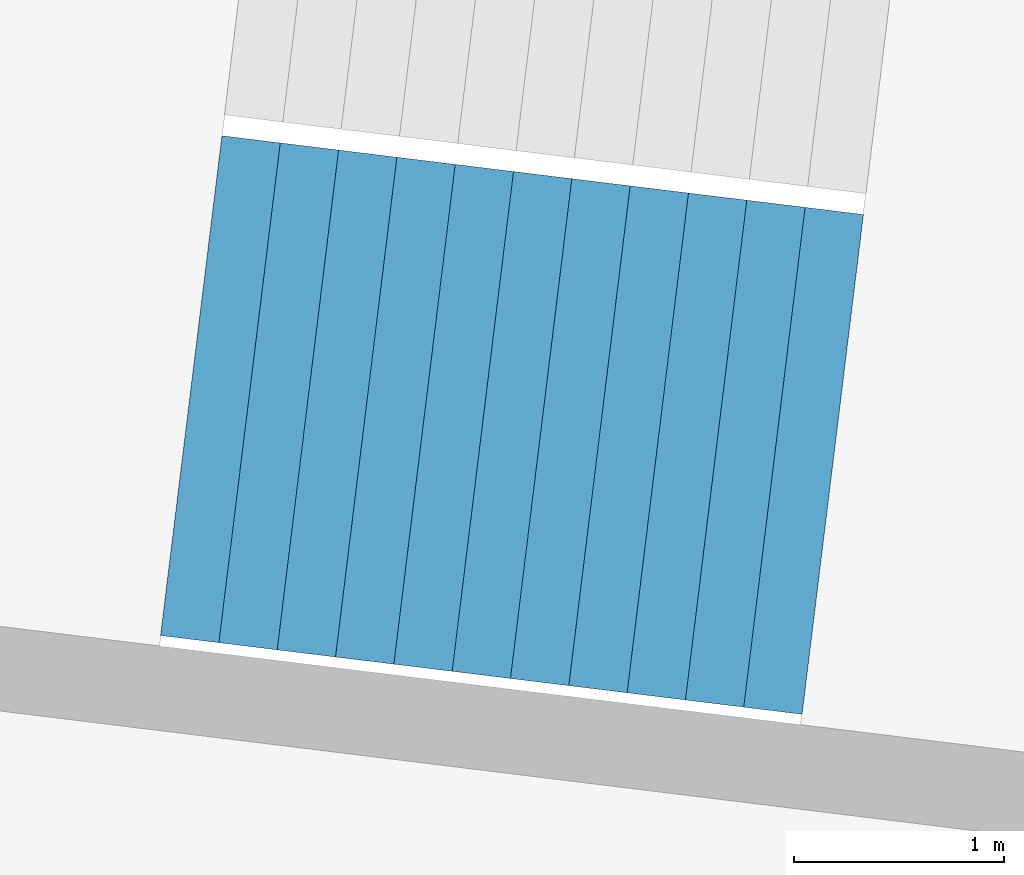
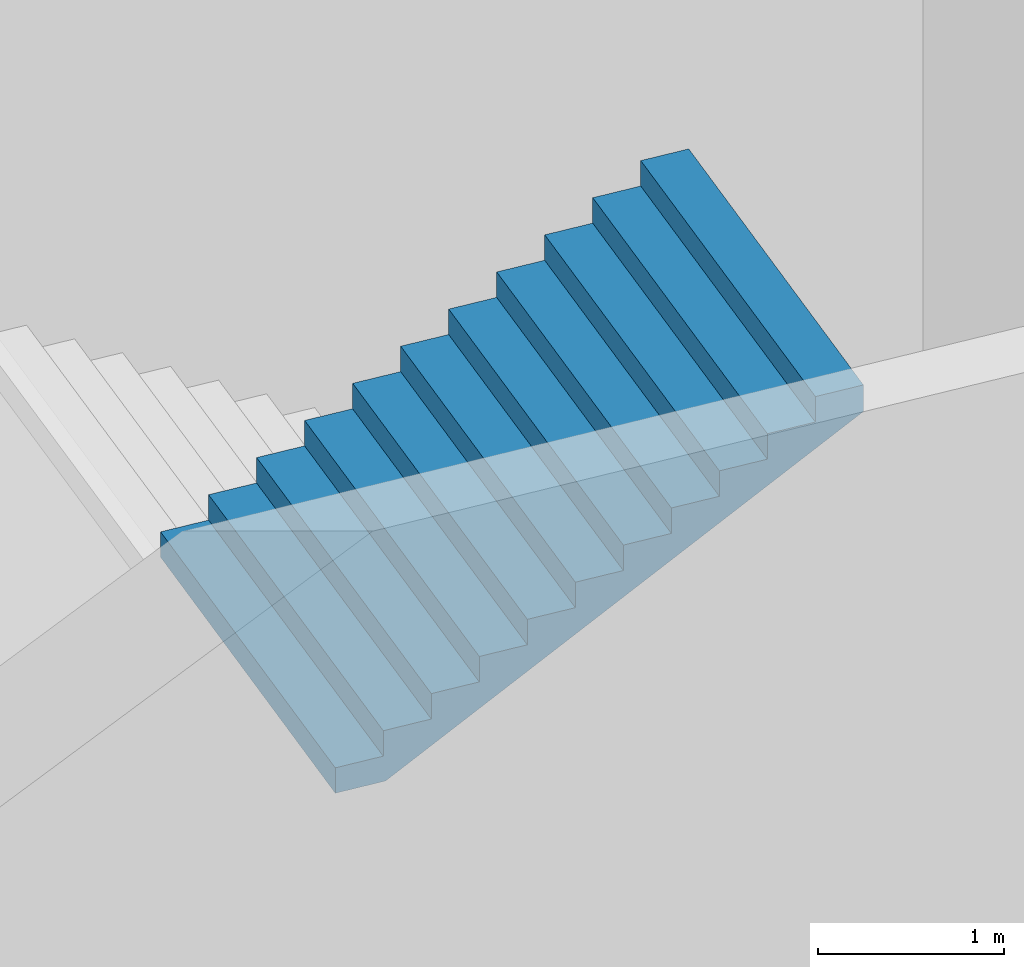
# One storey, part 27 of 74: 1 stair flight, 1 element without a shape of its own.
"""IFC4 building model written with IfcOpenShell, lengths in metres."""

from ifc_helpers import new_model, si_unit, direction, frame, origin, place, context, subcontext, project, spatial, triangles, material, type_object, element, aggregate, save


model = new_model("IFC4")

# Units and contexts
model_context = context("Model", 3, precision=1e-05, world=origin(), true_north=direction((0.0, 1.0)))
body_context = subcontext(model_context, "Body", "Model", "MODEL_VIEW")
ifc_project = project(units=[si_unit("LENGTHUNIT", "METRE"), si_unit("AREAUNIT", "SQUARE_METRE"), si_unit("VOLUMEUNIT", "CUBIC_METRE"), si_unit("PLANEANGLEUNIT", "RADIAN"), si_unit("MASSUNIT", "GRAM", prefix="KILO")], contexts=[model_context])

# Site, building, storey
site_placement = place(None, origin())
site = spatial("IfcSite", under=ifc_project, at=site_placement, CompositionType="ELEMENT")
building_placement = place(site_placement, origin())
building = spatial("IfcBuilding", under=site, at=building_placement, Name="Lantaw Convention Tower", CompositionType="ELEMENT")
storey_placement = place(building_placement, frame((0.0, 0.0, 6.5)))
storey = spatial("IfcBuildingStorey", under=building, at=storey_placement, Name="L01", CompositionType="ELEMENT", Elevation=6.5)

# Stair, stair flight
ifc_material = material(Name="Concrete C35/45", Category="concrete")
stair_type = type_object("IfcStairType", Name="Exit stair 2400 riser 166.67 in 4 flights", PredefinedType="HALF_TURN_STAIR", material=ifc_material)
stair_placement = place(storey_placement, origin())
stair = element("IfcStair", 1, at=stair_placement, inside=storey, type_object=stair_type, Name="Podium exit stair P9 L01", PredefinedType="HALF_TURN_STAIR")
stair_flight_type = type_object("IfcStairFlightType", Name="Stair flight 2400 riser 166.67", PredefinedType="STRAIGHT", material=ifc_material)
stair_flight_placement = place(storey_placement, frame((-41.333251953125, 3.815673828125, 6.0), z_axis=(0.0, 0.0, 1.0), x_axis=(0.992546151641, -0.121869343405, 0.0)))
stair_flight = element("IfcStairFlight", 2, at=stair_flight_placement, type_object=stair_flight_type, Name="P9 flight 4", NumberOfRisers=12, NumberOfTreads=11, PredefinedType="STRAIGHT", RiserHeight=0.166666667, TreadLength=0.28, context=body_context, shape_type="Tessellation", body=[
    triangles([(0.0, 1.199951171875, 0.0), (0.0, 1.199951171875, 0.166666667), (0.28, 1.199951171875, 0.0), (0.28, 1.199951171875, 0.166666667), (0.28, 1.199951171875, 0.333333334), (0.29307345806906726, 1.199951171875, 0.0), (0.29307345806906726, 1.199951171875, 0.333333334), (0.56, 1.199951171875, 0.15888484670522965), (0.56, 1.199951171875, 0.333333334), (0.56, 1.199951171875, 0.500000001), (0.8400000000000001, 1.199951171875, 0.3255515137052296), (0.8400000000000001, 1.199951171875, 0.500000001), (0.8400000000000001, 1.199951171875, 0.666666668), (1.12, 1.199951171875, 0.4922181807052296), (1.12, 1.199951171875, 0.666666668), (1.12, 1.199951171875, 0.833333335), (1.4000000000000001, 1.199951171875, 0.6588848477052296), (1.4000000000000001, 1.199951171875, 0.833333335), (1.4000000000000001, 1.199951171875, 1.000000002), (1.6800000000000002, 1.199951171875, 0.8255515147052296), (1.6800000000000002, 1.199951171875, 1.000000002), (1.6800000000000002, 1.199951171875, 1.166666669), (1.9600000000000002, 1.199951171875, 0.9922181817052296), (1.9600000000000002, 1.199951171875, 1.166666669), (1.9600000000000002, 1.199951171875, 1.333333336), (2.24, 1.199951171875, 1.1588848487052295), (2.24, 1.199951171875, 1.333333336), (2.24, 1.199951171875, 1.5000000029999998), (2.5200000000000005, 1.199951171875, 1.3255515157052296), (2.5200000000000005, 1.199951171875, 1.5000000029999998), (2.5200000000000005, 1.199951171875, 1.66666667), (2.8000000000000003, 1.199951171875, 1.4922181827052294), (2.8000000000000003, 1.199951171875, 1.66666667), (2.8000000000000003, 1.199951171875, 1.833333337), (3.08, 1.199951171875, 1.6588848497052293), (3.08, 1.199951171875, 1.833333337), (0.0, -1.199951171875, 0.0), (0.0, -1.199951171875, 0.166666667), (0.28, -1.199951171875, 0.0), (0.28, -1.199951171875, 0.166666667), (0.28, -1.199951171875, 0.333333334), (0.29307345806906726, -1.199951171875, 0.0), (0.29307345806906726, -1.199951171875, 0.333333334), (0.56, -1.199951171875, 0.15888484670522965), (0.56, -1.199951171875, 0.333333334), (0.56, -1.199951171875, 0.500000001), (0.8400000000000001, -1.199951171875, 0.3255515137052296), (0.8400000000000001, -1.199951171875, 0.500000001), (0.8400000000000001, -1.199951171875, 0.666666668), (1.12, -1.199951171875, 0.4922181807052296), (1.12, -1.199951171875, 0.666666668), (1.12, -1.199951171875, 0.833333335), (1.4000000000000001, -1.199951171875, 0.6588848477052296), (1.4000000000000001, -1.199951171875, 0.833333335), (1.4000000000000001, -1.199951171875, 1.000000002), (1.6800000000000002, -1.199951171875, 0.8255515147052296), (1.6800000000000002, -1.199951171875, 1.000000002), (1.6800000000000002, -1.199951171875, 1.166666669), (1.9600000000000002, -1.199951171875, 0.9922181817052296), (1.9600000000000002, -1.199951171875, 1.166666669), (1.9600000000000002, -1.199951171875, 1.333333336), (2.24, -1.199951171875, 1.1588848487052295), (2.24, -1.199951171875, 1.333333336), (2.24, -1.199951171875, 1.5000000029999998), (2.5200000000000005, -1.199951171875, 1.3255515157052296), (2.5200000000000005, -1.199951171875, 1.5000000029999998), (2.5200000000000005, -1.199951171875, 1.66666667), (2.8000000000000003, -1.199951171875, 1.4922181827052294), (2.8000000000000003, -1.199951171875, 1.66666667), (2.8000000000000003, -1.199951171875, 1.833333337), (3.08, -1.199951171875, 1.6588848497052293), (3.08, -1.199951171875, 1.833333337), (0.0, 0.239990234375, 0.166666667), (0.0, 0.239990234375, 0.0), (0.0, 0.1199951171875, 0.166666667), (0.0, 0.1199951171875, 0.0), (0.0, 0.0, 0.166666667), (0.0, 0.0, 0.0), (0.0, -0.1199951171875, 0.166666667), (0.0, -0.1199951171875, 0.0), (0.0, -0.239990234375, 0.166666667), (0.0, -0.239990234375, 0.0), (0.28, 0.239990234375, 0.333333334), (0.28, 0.239990234375, 0.166666667), (0.28, 0.1199951171875, 0.333333334), (0.28, 0.1199951171875, 0.166666667), (0.28, 0.0, 0.333333334), (0.28, 0.0, 0.166666667), (0.28, -0.1199951171875, 0.333333334), (0.28, -0.1199951171875, 0.166666667), (0.28, -0.239990234375, 0.333333334), (0.28, -0.239990234375, 0.166666667), (0.56, 0.239990234375, 0.500000001), (0.56, 0.239990234375, 0.333333334), (0.56, 0.1199951171875, 0.500000001), (0.56, 0.1199951171875, 0.333333334), (0.56, 0.0, 0.500000001), (0.56, 0.0, 0.333333334), (0.56, -0.1199951171875, 0.500000001), (0.56, -0.1199951171875, 0.333333334), (0.56, -0.239990234375, 0.500000001), (0.56, -0.239990234375, 0.333333334), (0.8400000000000001, 0.239990234375, 0.666666668), (0.8400000000000001, 0.239990234375, 0.500000001), (0.8400000000000001, 0.1199951171875, 0.666666668), (0.8400000000000001, 0.1199951171875, 0.500000001), (0.8400000000000001, 0.0, 0.666666668), (0.8400000000000001, 0.0, 0.500000001), (0.8400000000000001, -0.1199951171875, 0.666666668), (0.8400000000000001, -0.1199951171875, 0.500000001), (0.8400000000000001, -0.239990234375, 0.666666668), (0.8400000000000001, -0.239990234375, 0.500000001), (1.12, 0.239990234375, 0.833333335), (1.12, 0.239990234375, 0.666666668), (1.12, 0.1199951171875, 0.833333335), (1.12, 0.1199951171875, 0.666666668), (1.12, 0.0, 0.833333335), (1.12, 0.0, 0.666666668), (1.12, -0.1199951171875, 0.833333335), (1.12, -0.1199951171875, 0.666666668), (1.12, -0.239990234375, 0.833333335), (1.12, -0.239990234375, 0.666666668), (1.4000000000000001, 0.239990234375, 1.000000002), (1.4000000000000001, 0.239990234375, 0.833333335), (1.4000000000000001, 0.1199951171875, 1.000000002), (1.4000000000000001, 0.1199951171875, 0.833333335), (1.4000000000000001, 0.0, 1.000000002), (1.4000000000000001, 0.0, 0.833333335), (1.4000000000000001, -0.1199951171875, 1.000000002), (1.4000000000000001, -0.1199951171875, 0.833333335), (1.4000000000000001, -0.239990234375, 1.000000002), (1.4000000000000001, -0.239990234375, 0.833333335), (1.6800000000000002, 0.239990234375, 1.166666669), (1.6800000000000002, 0.239990234375, 1.000000002), (1.6800000000000002, 0.1199951171875, 1.166666669), (1.6800000000000002, 0.1199951171875, 1.000000002), (1.6800000000000002, 0.0, 1.166666669), (1.6800000000000002, 0.0, 1.000000002), (1.6800000000000002, -0.1199951171875, 1.166666669), (1.6800000000000002, -0.1199951171875, 1.000000002), (1.6800000000000002, -0.239990234375, 1.166666669), (1.6800000000000002, -0.239990234375, 1.000000002), (1.9600000000000002, 0.239990234375, 1.333333336), (1.9600000000000002, 0.239990234375, 1.166666669), (1.9600000000000002, 0.1199951171875, 1.333333336), (1.9600000000000002, 0.1199951171875, 1.166666669), (1.9600000000000002, 0.0, 1.333333336), (1.9600000000000002, 0.0, 1.166666669), (1.9600000000000002, -0.1199951171875, 1.333333336), (1.9600000000000002, -0.1199951171875, 1.166666669), (1.9600000000000002, -0.239990234375, 1.333333336), (1.9600000000000002, -0.239990234375, 1.166666669), (2.24, 0.239990234375, 1.5000000029999998), (2.24, 0.239990234375, 1.333333336), (2.24, 0.1199951171875, 1.5000000029999998), (2.24, 0.1199951171875, 1.333333336), (2.24, 0.0, 1.5000000029999998), (2.24, 0.0, 1.333333336), (2.24, -0.1199951171875, 1.5000000029999998), (2.24, -0.1199951171875, 1.333333336), (2.24, -0.239990234375, 1.5000000029999998), (2.24, -0.239990234375, 1.333333336), (2.5200000000000005, 0.239990234375, 1.66666667), (2.5200000000000005, 0.239990234375, 1.5000000029999998), (2.5200000000000005, 0.1199951171875, 1.66666667), (2.5200000000000005, 0.1199951171875, 1.5000000029999998), (2.5200000000000005, 0.0, 1.66666667), (2.5200000000000005, 0.0, 1.5000000029999998), (2.5200000000000005, -0.1199951171875, 1.66666667), (2.5200000000000005, -0.1199951171875, 1.5000000029999998), (2.5200000000000005, -0.239990234375, 1.66666667), (2.5200000000000005, -0.239990234375, 1.5000000029999998), (2.8000000000000003, 0.239990234375, 1.833333337), (2.8000000000000003, 0.239990234375, 1.66666667), (2.8000000000000003, 0.1199951171875, 1.833333337), (2.8000000000000003, 0.1199951171875, 1.66666667), (2.8000000000000003, 0.0, 1.833333337), (2.8000000000000003, 0.0, 1.66666667), (2.8000000000000003, -0.1199951171875, 1.833333337), (2.8000000000000003, -0.1199951171875, 1.66666667), (2.8000000000000003, -0.239990234375, 1.833333337), (2.8000000000000003, -0.239990234375, 1.66666667), (0.29307345806906726, 0.239990234375, 0.333333334), (0.29307345806906726, 0.1199951171875, 0.333333334), (0.29307345806906726, 0.0, 0.333333334), (0.29307345806906726, -0.1199951171875, 0.333333334), (0.29307345806906726, -0.239990234375, 0.333333334), (3.08, 0.239990234375, 1.833333337), (3.08, 0.1199951171875, 1.833333337), (3.08, 0.0, 1.833333337), (3.08, -0.1199951171875, 1.833333337), (3.08, -0.239990234375, 1.833333337), (3.08, 0.239990234375, 1.6588848497052293), (3.08, 0.1199951171875, 1.6588848497052293), (3.08, 0.0, 1.6588848497052293), (3.08, -0.1199951171875, 1.6588848497052293), (3.08, -0.239990234375, 1.6588848497052293), (2.8000000000000003, 0.239990234375, 1.4922181827052294), (2.8000000000000003, 0.1199951171875, 1.4922181827052294), (2.8000000000000003, 0.0, 1.4922181827052294), (2.8000000000000003, -0.1199951171875, 1.4922181827052294), (2.8000000000000003, -0.239990234375, 1.4922181827052294), (2.5200000000000005, 0.239990234375, 1.3255515157052296), (2.5200000000000005, 0.1199951171875, 1.3255515157052296), (2.5200000000000005, 0.0, 1.3255515157052296), (2.5200000000000005, -0.1199951171875, 1.3255515157052296), (2.5200000000000005, -0.239990234375, 1.3255515157052296), (2.24, 0.239990234375, 1.1588848487052295), (2.24, 0.1199951171875, 1.1588848487052295), (2.24, 0.0, 1.1588848487052295), (2.24, -0.1199951171875, 1.1588848487052295), (2.24, -0.239990234375, 1.1588848487052295), (1.9600000000000002, 0.239990234375, 0.9922181817052296), (1.9600000000000002, 0.1199951171875, 0.9922181817052296), (1.9600000000000002, 0.0, 0.9922181817052296), (1.9600000000000002, -0.1199951171875, 0.9922181817052296), (1.9600000000000002, -0.239990234375, 0.9922181817052296), (1.6800000000000002, 0.239990234375, 0.8255515147052296), (1.6800000000000002, 0.1199951171875, 0.8255515147052296), (1.6800000000000002, 0.0, 0.8255515147052296), (1.6800000000000002, -0.1199951171875, 0.8255515147052296), (1.6800000000000002, -0.239990234375, 0.8255515147052296), (1.4000000000000001, 0.239990234375, 0.6588848477052296), (1.4000000000000001, 0.1199951171875, 0.6588848477052296), (1.4000000000000001, 0.0, 0.6588848477052296), (1.4000000000000001, -0.1199951171875, 0.6588848477052296), (1.4000000000000001, -0.239990234375, 0.6588848477052296), (1.12, 0.239990234375, 0.4922181807052296), (1.12, 0.1199951171875, 0.4922181807052296), (1.12, 0.0, 0.4922181807052296), (1.12, -0.1199951171875, 0.4922181807052296), (1.12, -0.239990234375, 0.4922181807052296), (0.8400000000000001, 0.239990234375, 0.3255515137052296), (0.8400000000000001, 0.1199951171875, 0.3255515137052296), (0.8400000000000001, 0.0, 0.3255515137052296), (0.8400000000000001, -0.1199951171875, 0.3255515137052296), (0.8400000000000001, -0.239990234375, 0.3255515137052296), (0.56, 0.239990234375, 0.15888484670522965), (0.56, 0.1199951171875, 0.15888484670522965), (0.56, 0.0, 0.15888484670522965), (0.56, -0.1199951171875, 0.15888484670522965), (0.56, -0.239990234375, 0.15888484670522965), (0.29307345806906726, 0.239990234375, 0.0), (0.29307345806906726, 0.1199951171875, 0.0), (0.29307345806906726, 0.0, 0.0), (0.29307345806906726, -0.1199951171875, 0.0), (0.29307345806906726, -0.239990234375, 0.0), (0.28, 0.239990234375, 0.0), (0.28, 0.1199951171875, 0.0), (0.28, 0.0, 0.0), (0.28, -0.1199951171875, 0.0), (0.28, -0.239990234375, 0.0)], [[1, 4, 3], [1, 2, 4], [3, 4, 6], [4, 7, 6], [4, 5, 7], [6, 9, 8], [6, 7, 9], [8, 9, 11], [9, 12, 11], [9, 10, 12], [11, 12, 14], [12, 15, 14], [12, 13, 15], [14, 15, 17], [15, 18, 17], [15, 16, 18], [17, 18, 20], [18, 21, 20], [18, 19, 21], [20, 21, 23], [21, 24, 23], [21, 22, 24], [23, 24, 26], [24, 27, 26], [24, 25, 27], [26, 27, 29], [27, 30, 29], [27, 28, 30], [29, 30, 32], [30, 33, 32], [30, 31, 33], [32, 33, 35], [33, 36, 35], [33, 34, 36], [37, 39, 40], [37, 40, 38], [39, 42, 40], [40, 42, 43], [40, 43, 41], [42, 44, 45], [42, 45, 43], [44, 47, 45], [45, 47, 48], [45, 48, 46], [47, 50, 48], [48, 50, 51], [48, 51, 49], [50, 53, 51], [51, 53, 54], [51, 54, 52], [53, 56, 54], [54, 56, 57], [54, 57, 55], [56, 59, 57], [57, 59, 60], [57, 60, 58], [59, 62, 60], [60, 62, 63], [60, 63, 61], [62, 65, 63], [63, 65, 66], [63, 66, 64], [65, 68, 66], [66, 68, 69], [66, 69, 67], [68, 71, 69], [69, 71, 72], [69, 72, 70], [1, 73, 2], [1, 74, 73], [74, 75, 73], [74, 76, 75], [76, 77, 75], [76, 78, 77], [78, 79, 77], [78, 80, 79], [80, 81, 79], [80, 82, 81], [82, 38, 81], [82, 37, 38], [4, 83, 5], [4, 84, 83], [84, 85, 83], [84, 86, 85], [86, 87, 85], [86, 88, 87], [88, 89, 87], [88, 90, 89], [90, 91, 89], [90, 92, 91], [92, 41, 91], [92, 40, 41], [9, 93, 10], [9, 94, 93], [94, 95, 93], [94, 96, 95], [96, 97, 95], [96, 98, 97], [98, 99, 97], [98, 100, 99], [100, 101, 99], [100, 102, 101], [102, 46, 101], [102, 45, 46], [12, 103, 13], [12, 104, 103], [104, 105, 103], [104, 106, 105], [106, 107, 105], [106, 108, 107], [108, 109, 107], [108, 110, 109], [110, 111, 109], [110, 112, 111], [112, 49, 111], [112, 48, 49], [15, 113, 16], [15, 114, 113], [114, 115, 113], [114, 116, 115], [116, 117, 115], [116, 118, 117], [118, 119, 117], [118, 120, 119], [120, 121, 119], [120, 122, 121], [122, 52, 121], [122, 51, 52], [18, 123, 19], [18, 124, 123], [124, 125, 123], [124, 126, 125], [126, 127, 125], [126, 128, 127], [128, 129, 127], [128, 130, 129], [130, 131, 129], [130, 132, 131], [132, 55, 131], [132, 54, 55], [21, 133, 22], [21, 134, 133], [134, 135, 133], [134, 136, 135], [136, 137, 135], [136, 138, 137], [138, 139, 137], [138, 140, 139], [140, 141, 139], [140, 142, 141], [142, 58, 141], [142, 57, 58], [24, 143, 25], [24, 144, 143], [144, 145, 143], [144, 146, 145], [146, 147, 145], [146, 148, 147], [148, 149, 147], [148, 150, 149], [150, 151, 149], [150, 152, 151], [152, 61, 151], [152, 60, 61], [27, 153, 28], [27, 154, 153], [154, 155, 153], [154, 156, 155], [156, 157, 155], [156, 158, 157], [158, 159, 157], [158, 160, 159], [160, 161, 159], [160, 162, 161], [162, 64, 161], [162, 63, 64], [30, 163, 31], [30, 164, 163], [164, 165, 163], [164, 166, 165], [166, 167, 165], [166, 168, 167], [168, 169, 167], [168, 170, 169], [170, 171, 169], [170, 172, 171], [172, 67, 171], [172, 66, 67], [33, 173, 34], [33, 174, 173], [174, 175, 173], [174, 176, 175], [176, 177, 175], [176, 178, 177], [178, 179, 177], [178, 180, 179], [180, 181, 179], [180, 182, 181], [182, 70, 181], [182, 69, 70], [2, 84, 4], [2, 73, 84], [73, 86, 84], [73, 75, 86], [75, 88, 86], [75, 77, 88], [77, 90, 88], [77, 79, 90], [79, 92, 90], [79, 81, 92], [81, 40, 92], [81, 38, 40], [5, 183, 7], [5, 83, 183], [83, 184, 183], [83, 85, 184], [85, 185, 184], [85, 87, 185], [87, 186, 185], [87, 89, 186], [89, 187, 186], [89, 91, 187], [91, 43, 187], [91, 41, 43], [7, 94, 9], [7, 183, 94], [183, 96, 94], [183, 184, 96], [184, 98, 96], [184, 185, 98], [185, 100, 98], [185, 186, 100], [186, 102, 100], [186, 187, 102], [187, 45, 102], [187, 43, 45], [10, 104, 12], [10, 93, 104], [93, 106, 104], [93, 95, 106], [95, 108, 106], [95, 97, 108], [97, 110, 108], [97, 99, 110], [99, 112, 110], [99, 101, 112], [101, 48, 112], [101, 46, 48], [13, 114, 15], [13, 103, 114], [103, 116, 114], [103, 105, 116], [105, 118, 116], [105, 107, 118], [107, 120, 118], [107, 109, 120], [109, 122, 120], [109, 111, 122], [111, 51, 122], [111, 49, 51], [16, 124, 18], [16, 113, 124], [113, 126, 124], [113, 115, 126], [115, 128, 126], [115, 117, 128], [117, 130, 128], [117, 119, 130], [119, 132, 130], [119, 121, 132], [121, 54, 132], [121, 52, 54], [19, 134, 21], [19, 123, 134], [123, 136, 134], [123, 125, 136], [125, 138, 136], [125, 127, 138], [127, 140, 138], [127, 129, 140], [129, 142, 140], [129, 131, 142], [131, 57, 142], [131, 55, 57], [22, 144, 24], [22, 133, 144], [133, 146, 144], [133, 135, 146], [135, 148, 146], [135, 137, 148], [137, 150, 148], [137, 139, 150], [139, 152, 150], [139, 141, 152], [141, 60, 152], [141, 58, 60], [25, 154, 27], [25, 143, 154], [143, 156, 154], [143, 145, 156], [145, 158, 156], [145, 147, 158], [147, 160, 158], [147, 149, 160], [149, 162, 160], [149, 151, 162], [151, 63, 162], [151, 61, 63], [28, 164, 30], [28, 153, 164], [153, 166, 164], [153, 155, 166], [155, 168, 166], [155, 157, 168], [157, 170, 168], [157, 159, 170], [159, 172, 170], [159, 161, 172], [161, 66, 172], [161, 64, 66], [31, 174, 33], [31, 163, 174], [163, 176, 174], [163, 165, 176], [165, 178, 176], [165, 167, 178], [167, 180, 178], [167, 169, 180], [169, 182, 180], [169, 171, 182], [171, 69, 182], [171, 67, 69], [34, 188, 36], [34, 173, 188], [173, 189, 188], [173, 175, 189], [175, 190, 189], [175, 177, 190], [177, 191, 190], [177, 179, 191], [179, 192, 191], [179, 181, 192], [181, 72, 192], [181, 70, 72], [36, 193, 35], [36, 188, 193], [188, 194, 193], [188, 189, 194], [189, 195, 194], [189, 190, 195], [190, 196, 195], [190, 191, 196], [191, 197, 196], [191, 192, 197], [192, 71, 197], [192, 72, 71], [35, 198, 32], [35, 193, 198], [193, 199, 198], [193, 194, 199], [194, 200, 199], [194, 195, 200], [195, 201, 200], [195, 196, 201], [196, 202, 201], [196, 197, 202], [197, 68, 202], [197, 71, 68], [32, 203, 29], [32, 198, 203], [198, 204, 203], [198, 199, 204], [199, 205, 204], [199, 200, 205], [200, 206, 205], [200, 201, 206], [201, 207, 206], [201, 202, 207], [202, 65, 207], [202, 68, 65], [29, 208, 26], [29, 203, 208], [203, 209, 208], [203, 204, 209], [204, 210, 209], [204, 205, 210], [205, 211, 210], [205, 206, 211], [206, 212, 211], [206, 207, 212], [207, 62, 212], [207, 65, 62], [26, 213, 23], [26, 208, 213], [208, 214, 213], [208, 209, 214], [209, 215, 214], [209, 210, 215], [210, 216, 215], [210, 211, 216], [211, 217, 216], [211, 212, 217], [212, 59, 217], [212, 62, 59], [23, 218, 20], [23, 213, 218], [213, 219, 218], [213, 214, 219], [214, 220, 219], [214, 215, 220], [215, 221, 220], [215, 216, 221], [216, 222, 221], [216, 217, 222], [217, 56, 222], [217, 59, 56], [20, 223, 17], [20, 218, 223], [218, 224, 223], [218, 219, 224], [219, 225, 224], [219, 220, 225], [220, 226, 225], [220, 221, 226], [221, 227, 226], [221, 222, 227], [222, 53, 227], [222, 56, 53], [17, 228, 14], [17, 223, 228], [223, 229, 228], [223, 224, 229], [224, 230, 229], [224, 225, 230], [225, 231, 230], [225, 226, 231], [226, 232, 231], [226, 227, 232], [227, 50, 232], [227, 53, 50], [14, 233, 11], [14, 228, 233], [228, 234, 233], [228, 229, 234], [229, 235, 234], [229, 230, 235], [230, 236, 235], [230, 231, 236], [231, 237, 236], [231, 232, 237], [232, 47, 237], [232, 50, 47], [11, 238, 8], [11, 233, 238], [233, 239, 238], [233, 234, 239], [234, 240, 239], [234, 235, 240], [235, 241, 240], [235, 236, 241], [236, 242, 241], [236, 237, 242], [237, 44, 242], [237, 47, 44], [8, 243, 6], [8, 238, 243], [238, 244, 243], [238, 239, 244], [239, 245, 244], [239, 240, 245], [240, 246, 245], [240, 241, 246], [241, 247, 246], [241, 242, 247], [242, 42, 247], [242, 44, 42], [6, 248, 3], [6, 243, 248], [243, 249, 248], [243, 244, 249], [244, 250, 249], [244, 245, 250], [245, 251, 250], [245, 246, 251], [246, 252, 251], [246, 247, 252], [247, 39, 252], [247, 42, 39], [3, 74, 1], [3, 248, 74], [248, 76, 74], [248, 249, 76], [249, 78, 76], [249, 250, 78], [250, 80, 78], [250, 251, 80], [251, 82, 80], [251, 252, 82], [252, 37, 82], [252, 39, 37]], closed=True),
])
aggregate(stair, [stair_flight])

save(model, "model.ifc")
